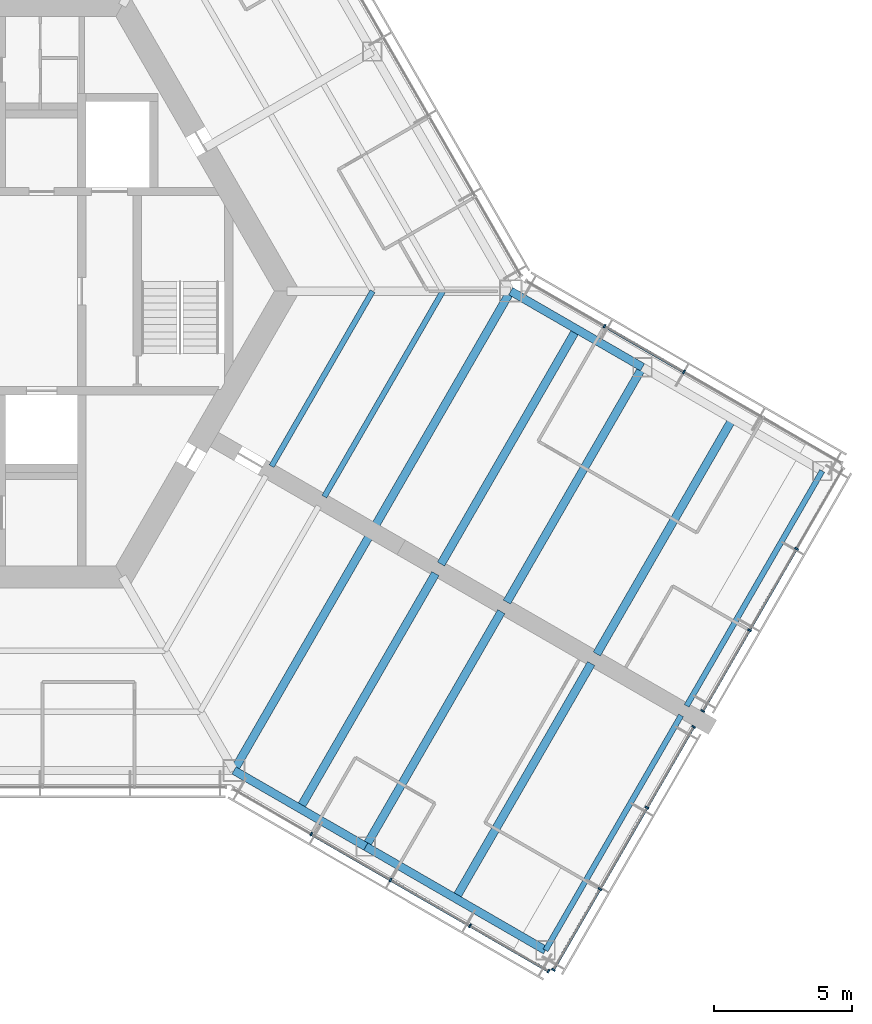
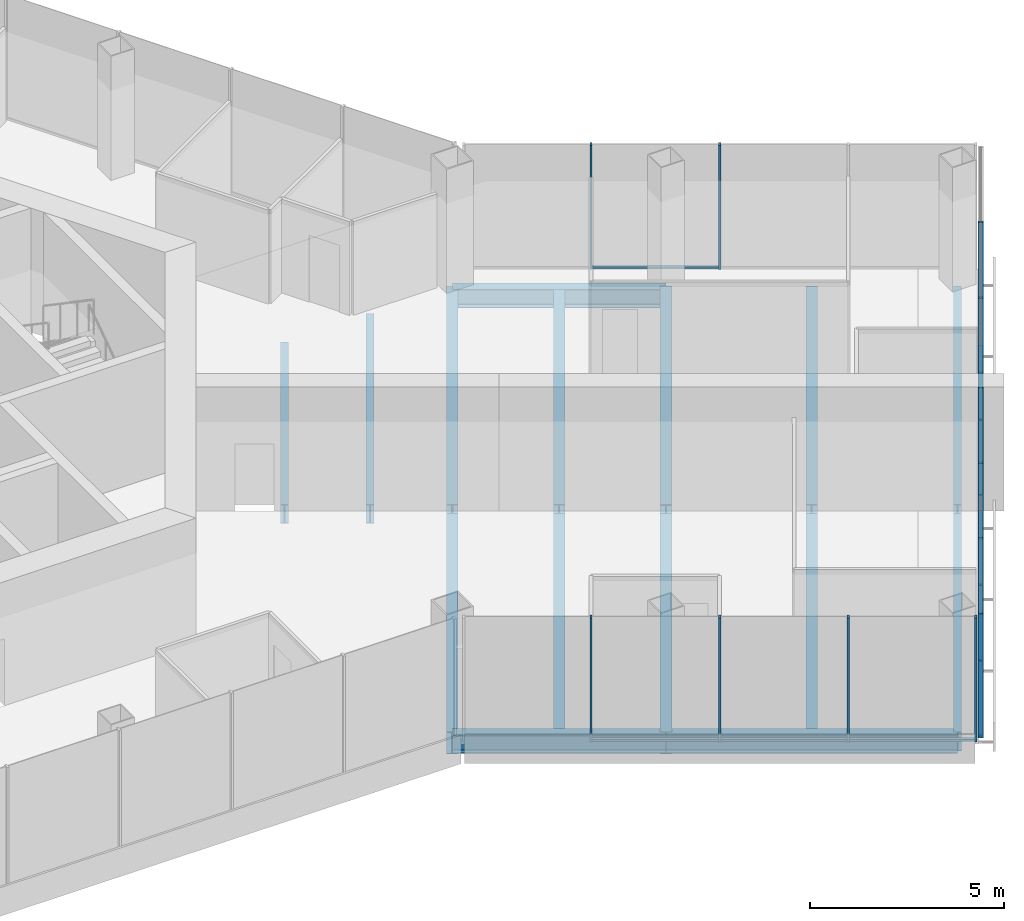
# One storey, part 4 of 16: 22 members, 15 beams, 4 elements without a shape of their own.
"""IFC4 building model written with IfcOpenShell, lengths in metres."""

from ifc_helpers import new_model, si_unit, direction, frame, origin, origin_2d, place, context, subcontext, project, spatial, rectangle, i_section, extrude, material, material_profile, profile_set, type_object, element, aggregate, save


model = new_model("IFC4")

# Units and contexts
model_context = context("Model", 3, precision=1e-05, world=origin(), true_north=direction((0.0, 1.0)))
body_context = subcontext(model_context, "Body", "Model", "MODEL_VIEW")
ifc_project = project(units=[si_unit("LENGTHUNIT", "METRE"), si_unit("AREAUNIT", "SQUARE_METRE"), si_unit("VOLUMEUNIT", "CUBIC_METRE"), si_unit("PLANEANGLEUNIT", "RADIAN"), si_unit("MASSUNIT", "GRAM", prefix="KILO")], contexts=[model_context])

# Site, building, storey
site_placement = place(None, origin())
site = spatial("IfcSite", under=ifc_project, at=site_placement, CompositionType="ELEMENT")
building_placement = place(site_placement, origin())
building = spatial("IfcBuilding", under=site, at=building_placement, Name="Kasaneha Research Tower", CompositionType="ELEMENT")
storey_placement = place(building_placement, frame((0.0, 0.0, 251.800048828125)))
storey = spatial("IfcBuildingStorey", under=building, at=storey_placement, Name="L63", CompositionType="ELEMENT", Elevation=251.800048828125)

# Beams
ifc_material_1 = material(Name="Steel SN490B", Category="steel")
ifc_material_profile_1 = material_profile(ifc_material_1, i_section(OverallWidth=0.199951171875, OverallDepth=0.60009765625, WebThickness=0.010986328125, FlangeThickness=0.01708984375, FilletRadius=0.012939453125, at=origin_2d()), Name="H-600x200x11x17")
ifc_profile_set_1 = profile_set([ifc_material_profile_1], Name="Steel SN490B")
beam_type_1 = type_object("IfcBeamType", Name="B1-3 secondary beam H-600x200x11x17", PredefinedType="JOIST", material=ifc_profile_set_1)
beam_1_placement = place(storey_placement, frame((15.010986328125, 0.0, -0.449951171875), z_axis=(-0.499974128195, -0.866040340363, 0.0), x_axis=(0.866040340363, -0.499974128195, 0.0)))
element("IfcBeam", 1, at=beam_1_placement, inside=storey, type_object=beam_type_1, Name="Secondary beam RS330R1 L63", PredefinedType="JOIST", context=body_context, shape_type="SweptSolid", body=[
    extrude(i_section(OverallWidth=0.199951171875, OverallDepth=0.60009765625, WebThickness=0.010986328125, FlangeThickness=0.01708984375, FilletRadius=0.012939453125, at=origin_2d()), origin(), (0.0, 0.0, 1.0), 7.3056640625),
])
beam_2_placement = place(storey_placement, frame((17.551513671875, 0.0, -0.449951171875), z_axis=(-0.500000102728, -0.866025344474, 0.0), x_axis=(0.866025344474, -0.500000102728, 0.0)))
element("IfcBeam", 2, at=beam_2_placement, inside=storey, type_object=beam_type_1, Name="Secondary beam RS330R2 L63", PredefinedType="JOIST", context=body_context, shape_type="SweptSolid", body=[
    extrude(i_section(OverallWidth=0.199951171875, OverallDepth=0.60009765625, WebThickness=0.010986328125, FlangeThickness=0.01708984375, FilletRadius=0.012939453125, at=origin_2d()), origin(), (0.0, 0.0, 1.0), 8.57568359375),
])
ifc_material_2 = material(Name="Steel SN490B", Category="steel")
ifc_material_profile_2 = material_profile(ifc_material_2, i_section(OverallWidth=0.300048828125, OverallDepth=0.58203125, WebThickness=0.011962890625, FlangeThickness=0.01708984375, FilletRadius=0.012939453125, at=origin_2d()), Name="H-582x300x12x17")
ifc_profile_set_2 = profile_set([ifc_material_profile_2], Name="Steel SN490B")
beam_type_2 = type_object("IfcBeamType", Name="B2-3 secondary beam H-582x300x12x17", PredefinedType="JOIST", material=ifc_profile_set_2)
for number, where, z_axis, x_axis, name in (
    (3, (12.381591796875, -18.695556640625, -0.441162109375), (0.49999201416, 0.866030014362, 0.0), (-0.866030014362, 0.49999201416, 0.0), "Secondary beam WBCP1 L63"),
    (4, (18.0107421875, -21.945556640625, -0.441162109375), (0.49999201416, 0.866030014362, 0.0), (-0.866030014362, 0.49999201416, 0.0), "Secondary beam WBCP2 L63"),
    (5, (22.381591796875, -1.375, -0.441162109375), (-0.49999201416, -0.866030014362, 0.0), (0.866030014362, -0.49999201416, 0.0), "Secondary beam WBCN1 L63"),
    (6, (28.0107421875, -4.625, -0.441162109375), (-0.49999201416, -0.866030014362, 0.0), (0.866030014362, -0.49999201416, 0.0), "Secondary beam WBCN2 L63"),
):
    element("IfcBeam", number, at=place(storey_placement, frame(where, z_axis=z_axis, x_axis=x_axis)), inside=storey, type_object=beam_type_2, Name=name, PredefinedType="JOIST", context=body_context, shape_type="SweptSolid", body=[
        extrude(i_section(OverallWidth=0.300048828125, OverallDepth=0.58203125, WebThickness=0.011962890625, FlangeThickness=0.01708984375, FilletRadius=0.012939453125, at=origin_2d()), origin(), (0.0, 0.0, 1.0), 9.800048828125),
    ])

# Curtain wall, members
ifc_material_3 = material(Name="Glass and aluminium", Category="aluminium")
curtain_wall_type = type_object("IfcCurtainWallType", Name="High-rise office curtain wall", PredefinedType="USERDEFINED", material=ifc_material_3)
curtain_wall_1_placement = place(storey_placement, origin())
curtain_wall_1 = element("IfcCurtainWall", 7, at=curtain_wall_1_placement, inside=storey, type_object=curtain_wall_type, Name="CW-O3 L63 run 06a", ObjectType="UNITISED CURTAIN WALL", PredefinedType="USERDEFINED")
ifc_material_4 = material(Name="Aluminium 6063-T6", Category="aluminium")
ifc_material_profile_3 = material_profile(ifc_material_4, rectangle(XDim=0.06005859375, YDim=0.139892578125, at=origin_2d()), Name="CW-O3 mullion 60x140")
ifc_profile_set_3 = profile_set([ifc_material_profile_3], Name="Aluminium 6063-T6")
member_type_1 = type_object("IfcMemberType", Name="CW-O3 mullion", PredefinedType="MULLION", material=ifc_profile_set_3)
member_1_placement = place(storey_placement, frame((12.792236328125, -19.62548828125, 0.0), z_axis=(0.0, 0.0, 1.0), x_axis=(0.866025411464, -0.499999986699, 0.0)))
member_1 = element("IfcMember", 8, at=member_1_placement, type_object=member_type_1, Name="CW-O3 mullion 2", PredefinedType="MULLION", context=body_context, shape_type="SweptSolid", body=[
    extrude(rectangle(XDim=0.06005859375, YDim=0.139892578125, at=origin_2d()), origin(), (0.0, 0.0, 1.0), 3.89990234375),
])
member_2_placement = place(storey_placement, frame((15.65869140625, -21.2802734375, 0.0), z_axis=(0.0, 0.0, 1.0), x_axis=(0.866025411464, -0.499999986699, 0.0)))
member_2 = element("IfcMember", 9, at=member_2_placement, type_object=member_type_1, Name="CW-O3 mullion 3", PredefinedType="MULLION", context=body_context, shape_type="SweptSolid", body=[
    extrude(rectangle(XDim=0.06005859375, YDim=0.139892578125, at=origin_2d()), origin(), (0.0, 0.0, 1.0), 3.89990234375),
])
member_3_placement = place(storey_placement, frame((18.52490234375, -22.935302734375, 0.0), z_axis=(0.0, 0.0, 1.0), x_axis=(0.866025411464, -0.499999986699, 0.0)))
member_3 = element("IfcMember", 10, at=member_3_placement, type_object=member_type_1, Name="CW-O3 mullion 4", PredefinedType="MULLION", context=body_context, shape_type="SweptSolid", body=[
    extrude(rectangle(XDim=0.06005859375, YDim=0.139892578125, at=origin_2d()), origin(), (0.0, 0.0, 1.0), 3.89990234375),
])
member_4_placement = place(storey_placement, frame((21.365478515625, -24.5751953125, 0.0), z_axis=(0.0, 0.0, 1.0), x_axis=(0.866025411464, -0.499999986699, 0.0)))
member_4 = element("IfcMember", 11, at=member_4_placement, type_object=member_type_1, Name="CW-O3 mullion 5", PredefinedType="MULLION", context=body_context, shape_type="SweptSolid", body=[
    extrude(rectangle(XDim=0.06005859375, YDim=0.139892578125, at=origin_2d()), origin(), (0.0, 0.0, 1.0), 3.89990234375),
])

curtain_wall_2_placement = place(storey_placement, origin())
curtain_wall_2 = element("IfcCurtainWall", 12, at=curtain_wall_2_placement, inside=storey, type_object=curtain_wall_type, Name="CW-O3 L63 run 07a", ObjectType="UNITISED CURTAIN WALL", PredefinedType="USERDEFINED")
member_5_placement = place(storey_placement, frame((21.54296875, -24.527587890625, 0.0), z_axis=(0.0, 0.0, 1.0), x_axis=(0.500000011442, 0.866025397178, 0.0)))
member_5 = element("IfcMember", 13, at=member_5_placement, type_object=member_type_1, Name="CW-O3 mullion 1", PredefinedType="MULLION", context=body_context, shape_type="SweptSolid", body=[
    extrude(rectangle(XDim=0.06005859375, YDim=0.139892578125, at=origin_2d()), origin(), (0.0, 0.0, 1.0), 3.89990234375),
])
member_6_placement = place(storey_placement, frame((23.22802734375, -21.609130859375, 0.0), z_axis=(0.0, 0.0, 1.0), x_axis=(0.500000011442, 0.866025397178, 0.0)))
member_6 = element("IfcMember", 14, at=member_6_placement, type_object=member_type_1, Name="CW-O3 mullion 2", PredefinedType="MULLION", context=body_context, shape_type="SweptSolid", body=[
    extrude(rectangle(XDim=0.06005859375, YDim=0.139892578125, at=origin_2d()), origin(), (0.0, 0.0, 1.0), 3.89990234375),
])
member_7_placement = place(storey_placement, frame((24.927978515625, -18.66455078125, 0.0), z_axis=(0.0, 0.0, 1.0), x_axis=(0.500000011442, 0.866025397178, 0.0)))
member_7 = element("IfcMember", 15, at=member_7_placement, type_object=member_type_1, Name="CW-O3 mullion 3", PredefinedType="MULLION", context=body_context, shape_type="SweptSolid", body=[
    extrude(rectangle(XDim=0.06005859375, YDim=0.139892578125, at=origin_2d()), origin(), (0.0, 0.0, 1.0), 3.89990234375),
])
member_8_placement = place(storey_placement, frame((26.613037109375, -15.74609375, 0.0), z_axis=(0.0, 0.0, 1.0), x_axis=(0.500000011442, 0.866025397178, 0.0)))
member_8 = element("IfcMember", 16, at=member_8_placement, type_object=member_type_1, Name="CW-O3 mullion 4", PredefinedType="MULLION", context=body_context, shape_type="SweptSolid", body=[
    extrude(rectangle(XDim=0.06005859375, YDim=0.139892578125, at=origin_2d()), origin(), (0.0, 0.0, 1.0), 3.89990234375),
])

curtain_wall_3_placement = place(storey_placement, origin())
curtain_wall_3 = element("IfcCurtainWall", 17, at=curtain_wall_3_placement, inside=storey, type_object=curtain_wall_type, Name="CW-O3 L63 run 08a", ObjectType="UNITISED CURTAIN WALL", PredefinedType="USERDEFINED")
member_9_placement = place(storey_placement, frame((26.94287109375, -15.174560546875, 0.0), z_axis=(0.0, 0.0, 1.0), x_axis=(0.500000011442, 0.866025397178, 0.0)))
member_9 = element("IfcMember", 18, at=member_9_placement, type_object=member_type_1, Name="CW-O3 mullion 1", PredefinedType="MULLION", context=body_context, shape_type="SweptSolid", body=[
    extrude(rectangle(XDim=0.06005859375, YDim=0.139892578125, at=origin_2d()), origin(), (0.0, 0.0, 1.0), 3.89990234375),
])
member_10_placement = place(storey_placement, frame((28.6279296875, -12.255859375, 0.0), z_axis=(0.0, 0.0, 1.0), x_axis=(0.500000011442, 0.866025397178, 0.0)))
member_10 = element("IfcMember", 19, at=member_10_placement, type_object=member_type_1, Name="CW-O3 mullion 2", PredefinedType="MULLION", context=body_context, shape_type="SweptSolid", body=[
    extrude(rectangle(XDim=0.06005859375, YDim=0.139892578125, at=origin_2d()), origin(), (0.0, 0.0, 1.0), 3.89990234375),
])
member_11_placement = place(storey_placement, frame((30.327880859375, -9.3115234375, 0.0), z_axis=(0.0, 0.0, 1.0), x_axis=(0.500000011442, 0.866025397178, 0.0)))
member_11 = element("IfcMember", 20, at=member_11_placement, type_object=member_type_1, Name="CW-O3 mullion 3", PredefinedType="MULLION", context=body_context, shape_type="SweptSolid", body=[
    extrude(rectangle(XDim=0.06005859375, YDim=0.139892578125, at=origin_2d()), origin(), (0.0, 0.0, 1.0), 3.89990234375),
])

curtain_wall_4_placement = place(storey_placement, origin())
curtain_wall_4 = element("IfcCurtainWall", 21, at=curtain_wall_4_placement, inside=storey, type_object=curtain_wall_type, Name="CW-O3 L63 run 09a", ObjectType="UNITISED CURTAIN WALL", PredefinedType="USERDEFINED")
member_12_placement = place(storey_placement, frame((26.258544921875, -2.920654296875, 0.0), z_axis=(0.0, 0.0, 1.0), x_axis=(-0.866025411464, 0.499999986699, 0.0)))
member_12 = element("IfcMember", 22, at=member_12_placement, type_object=member_type_1, Name="CW-O3 mullion 3", PredefinedType="MULLION", context=body_context, shape_type="SweptSolid", body=[
    extrude(rectangle(XDim=0.06005859375, YDim=0.139892578125, at=origin_2d()), origin(), (0.0, 0.0, 1.0), 3.89990234375),
])
member_13_placement = place(storey_placement, frame((23.39208984375, -1.265625, 0.0), z_axis=(0.0, 0.0, 1.0), x_axis=(-0.866025411464, 0.499999986699, 0.0)))
member_13 = element("IfcMember", 23, at=member_13_placement, type_object=member_type_1, Name="CW-O3 mullion 4", PredefinedType="MULLION", context=body_context, shape_type="SweptSolid", body=[
    extrude(rectangle(XDim=0.06005859375, YDim=0.139892578125, at=origin_2d()), origin(), (0.0, 0.0, 1.0), 3.89990234375),
])

# Member
ifc_material_5 = material(Name="Aluminium 6063-T6", Category="aluminium")
ifc_material_profile_4 = material_profile(ifc_material_5, rectangle(XDim=0.10009765625, YDim=0.06005859375, at=origin_2d()), Name="CW-O3 transom 100x60")
ifc_profile_set_4 = profile_set([ifc_material_profile_4], Name="Aluminium 6063-T6")
member_type_2 = type_object("IfcMemberType", Name="CW-O3 transom", PredefinedType="USERDEFINED", material=ifc_profile_set_4)
member_14_placement = place(storey_placement, frame((12.818115234375, -19.640380859375, 0.030029296875), z_axis=(0.866015446554, -0.500017246033, 0.0), x_axis=(0.500017246033, 0.866015446554, 0.0)))
member_14 = element("IfcMember", 24, at=member_14_placement, type_object=member_type_2, Name="CW-O3 transom 2", ObjectType="TRANSOM", PredefinedType="USERDEFINED", context=body_context, shape_type="SweptSolid", body=[
    extrude(rectangle(XDim=0.10009765625, YDim=0.06005859375, at=origin_2d()), origin(), (0.0, 0.0, 1.0), 3.25),
])

member_15_placement = place(storey_placement, frame((15.6845703125, -21.29541015625, 0.030029296875), z_axis=(0.86604797581, -0.499960902066, 0.0), x_axis=(0.499960902066, 0.86604797581, 0.0)))
member_15 = element("IfcMember", 25, at=member_15_placement, type_object=member_type_2, Name="CW-O3 transom 3", ObjectType="TRANSOM", PredefinedType="USERDEFINED", context=body_context, shape_type="SweptSolid", body=[
    extrude(rectangle(XDim=0.10009765625, YDim=0.06005859375, at=origin_2d()), origin(), (0.0, 0.0, 1.0), 3.249755859375),
])

member_16_placement = place(storey_placement, frame((18.551025390625, -22.9501953125, 0.030029296875), z_axis=(0.866022692473, -0.500004696101, 0.0), x_axis=(0.500004696101, 0.866022692473, 0.0)))
member_16 = element("IfcMember", 26, at=member_16_placement, type_object=member_type_2, Name="CW-O3 transom 4", ObjectType="TRANSOM", PredefinedType="USERDEFINED", context=body_context, shape_type="SweptSolid", body=[
    extrude(rectangle(XDim=0.10009765625, YDim=0.06005859375, at=origin_2d()), origin(), (0.0, 0.0, 1.0), 3.2197265625),
])

aggregate(curtain_wall_1, [member_1, member_2, member_3, member_4, member_14, member_15, member_16])

member_17_placement = place(storey_placement, frame((21.557861328125, -24.50146484375, 0.030029296875), z_axis=(0.500018282537, 0.866014848099, 0.0), x_axis=(-0.866014848099, 0.500018282537, 0.0)))
member_17 = element("IfcMember", 27, at=member_17_placement, type_object=member_type_2, Name="CW-O3 transom 1", ObjectType="TRANSOM", PredefinedType="USERDEFINED", context=body_context, shape_type="SweptSolid", body=[
    extrude(rectangle(XDim=0.10009765625, YDim=0.06005859375, at=origin_2d()), origin(), (0.0, 0.0, 1.0), 3.31005859375),
])

member_18_placement = place(storey_placement, frame((23.242919921875, -21.5830078125, 0.030029296875), z_axis=(0.499975549825, 0.866039519639, 0.0), x_axis=(-0.866039519639, 0.499975549825, 0.0)))
member_18 = element("IfcMember", 28, at=member_18_placement, type_object=member_type_2, Name="CW-O3 transom 2", ObjectType="TRANSOM", PredefinedType="USERDEFINED", context=body_context, shape_type="SweptSolid", body=[
    extrude(rectangle(XDim=0.10009765625, YDim=0.06005859375, at=origin_2d()), origin(), (0.0, 0.0, 1.0), 3.340087890625),
])

member_19_placement = place(storey_placement, frame((24.94287109375, -18.638671875, 0.030029296875), z_axis=(0.49998634449, 0.866033287653, 0.0), x_axis=(-0.866033287653, 0.49998634449, 0.0)))
member_19 = element("IfcMember", 29, at=member_19_placement, type_object=member_type_2, Name="CW-O3 transom 3", ObjectType="TRANSOM", PredefinedType="USERDEFINED", context=body_context, shape_type="SweptSolid", body=[
    extrude(rectangle(XDim=0.10009765625, YDim=0.06005859375, at=origin_2d()), origin(), (0.0, 0.0, 1.0), 3.31005859375),
])

aggregate(curtain_wall_2, [member_5, member_6, member_7, member_8, member_17, member_18, member_19])

member_20_placement = place(storey_placement, frame((26.9580078125, -15.1484375, 0.030029296875), z_axis=(0.500018282537, 0.866014848099, 0.0), x_axis=(-0.866014848099, 0.500018282537, 0.0)))
member_20 = element("IfcMember", 30, at=member_20_placement, type_object=member_type_2, Name="CW-O3 transom 1", ObjectType="TRANSOM", PredefinedType="USERDEFINED", context=body_context, shape_type="SweptSolid", body=[
    extrude(rectangle(XDim=0.10009765625, YDim=0.06005859375, at=origin_2d()), origin(), (0.0, 0.0, 1.0), 3.31005859375),
])

member_21_placement = place(storey_placement, frame((28.64306640625, -12.22998046875, 0.030029296875), z_axis=(0.499975549825, 0.866039519639, 0.0), x_axis=(-0.866039519639, 0.499975549825, 0.0)))
member_21 = element("IfcMember", 31, at=member_21_placement, type_object=member_type_2, Name="CW-O3 transom 2", ObjectType="TRANSOM", PredefinedType="USERDEFINED", context=body_context, shape_type="SweptSolid", body=[
    extrude(rectangle(XDim=0.10009765625, YDim=0.06005859375, at=origin_2d()), origin(), (0.0, 0.0, 1.0), 3.340087890625),
])

aggregate(curtain_wall_3, [member_9, member_10, member_11, member_20, member_21])

member_22_placement = place(storey_placement, frame((26.232666015625, -2.905517578125, 0.030029296875), z_axis=(-0.86604797581, 0.499960902066, 0.0), x_axis=(-0.499960902066, -0.86604797581, 0.0)))
member_22 = element("IfcMember", 32, at=member_22_placement, type_object=member_type_2, Name="CW-O3 transom 3", ObjectType="TRANSOM", PredefinedType="USERDEFINED", context=body_context, shape_type="SweptSolid", body=[
    extrude(rectangle(XDim=0.10009765625, YDim=0.06005859375, at=origin_2d()), origin(), (0.0, 0.0, 1.0), 3.249755859375),
])

aggregate(curtain_wall_4, [member_12, member_13, member_22])

# Beams
ifc_material_6 = material(Name="Steel SN490B", Category="steel")
ifc_material_profile_5 = material_profile(ifc_material_6, i_section(OverallWidth=0.300048828125, OverallDepth=0.69189453125, WebThickness=0.012939453125, FlangeThickness=0.02001953125, FilletRadius=0.01806640625, at=origin_2d()), Name="H-692x300x13x20")
ifc_profile_set_5 = profile_set([ifc_material_profile_5], Name="Steel SN490B")
beam_type_3 = type_object("IfcBeamType", Name="G3-3 plate edge girder H-692x300x13x20", PredefinedType="BEAM", material=ifc_profile_set_5)
for number, where, z_axis, x_axis, name in (
    (33, (10.0, -17.320556640625, -0.49609375), (0.49999201416, 0.866030014362, 0.0), (-0.866030014362, 0.49999201416, 0.0), "Plate edge girder PECP L63"),
    (34, (20.0, 0.0, -0.49609375), (-0.49999201416, -0.866030014362, 0.0), (0.866030014362, -0.49999201416, 0.0), "Plate edge girder PECN L63"),
):
    element("IfcBeam", number, at=place(storey_placement, frame(where, z_axis=z_axis, x_axis=x_axis)), inside=storey, type_object=beam_type_3, Name=name, PredefinedType="BEAM", context=body_context, shape_type="SweptSolid", body=[
        extrude(i_section(OverallWidth=0.300048828125, OverallDepth=0.69189453125, WebThickness=0.012939453125, FlangeThickness=0.02001953125, FilletRadius=0.01806640625, at=origin_2d()), origin(), (0.0, 0.0, 1.0), 9.800048828125),
    ])
ifc_material_7 = material(Name="Steel SN490B", Category="steel")
ifc_material_profile_6 = material_profile(ifc_material_7, i_section(OverallWidth=0.300048828125, OverallDepth=0.699951171875, WebThickness=0.012939453125, FlangeThickness=0.02392578125, FilletRadius=0.01806640625, at=origin_2d()), Name="H-700x300x13x24")
ifc_profile_set_6 = profile_set([ifc_material_profile_6], Name="Steel SN490B")
beam_type_4 = type_object("IfcBeamType", Name="G4-3 wing girder H-700x300x13x24", PredefinedType="BEAM", material=ifc_profile_set_6)
for number, where, z_axis, x_axis, name in (
    (35, (14.76318359375, -20.070556640625, -0.5), (0.49999201416, 0.866030014362, 0.0), (-0.866030014362, 0.49999201416, 0.0), "Wing girder WGCP L63"),
    (36, (24.76318359375, -2.75, -0.5), (-0.500010698315, -0.866019227021, 0.0), (0.866019227021, -0.500010698315, 0.0), "Wing girder WGCN L63"),
):
    element("IfcBeam", number, at=place(storey_placement, frame(where, z_axis=z_axis, x_axis=x_axis)), inside=storey, type_object=beam_type_4, Name=name, PredefinedType="BEAM", context=body_context, shape_type="SweptSolid", body=[
        extrude(i_section(OverallWidth=0.300048828125, OverallDepth=0.699951171875, WebThickness=0.012939453125, FlangeThickness=0.02392578125, FilletRadius=0.01806640625, at=origin_2d()), origin(), (0.0, 0.0, 1.0), 9.800048828125),
    ])
ifc_material_8 = material(Name="Steel SN490B", Category="steel")
ifc_material_profile_7 = material_profile(ifc_material_8, i_section(OverallWidth=0.300048828125, OverallDepth=0.58203125, WebThickness=0.011962890625, FlangeThickness=0.01708984375, FilletRadius=0.012939453125, at=origin_2d()), Name="H-582x300x12x17")
ifc_profile_set_7 = profile_set([ifc_material_profile_7], Name="Steel SN490B")
beam_type_5 = type_object("IfcBeamType", Name="SB2-3 spandrel beam H-582x300x12x17", PredefinedType="SPANDREL", material=ifc_profile_set_7)
beam_3_placement = place(storey_placement, frame((10.0, -17.320556640625, -0.441162109375), z_axis=(0.866027397988, -0.499996545922, 0.0), x_axis=(0.499996545922, 0.866027397988, 0.0)))
element("IfcBeam", 37, at=beam_3_placement, inside=storey, type_object=beam_type_5, Name="Spandrel beam WSCP1 L63", PredefinedType="SPANDREL", context=body_context, shape_type="SweptSolid", body=[
    extrude(i_section(OverallWidth=0.300048828125, OverallDepth=0.58203125, WebThickness=0.011962890625, FlangeThickness=0.01708984375, FilletRadius=0.012939453125, at=origin_2d()), origin(), (0.0, 0.0, 1.0), 5.5),
])
beam_4_placement = place(storey_placement, frame((14.76318359375, -20.070556640625, -0.441162109375), z_axis=(0.866022959057, -0.500004234368, 0.0), x_axis=(0.500004234368, 0.866022959057, 0.0)))
element("IfcBeam", 38, at=beam_4_placement, inside=storey, type_object=beam_type_5, Name="Spandrel beam WSCP2 L63", PredefinedType="SPANDREL", context=body_context, shape_type="SweptSolid", body=[
    extrude(i_section(OverallWidth=0.300048828125, OverallDepth=0.58203125, WebThickness=0.011962890625, FlangeThickness=0.01708984375, FilletRadius=0.012939453125, at=origin_2d()), origin(), (0.0, 0.0, 1.0), 7.5),
])
beam_5_placement = place(storey_placement, frame((20.0, 0.0, -0.441162109375), z_axis=(0.866027397988, -0.499996545922, 0.0), x_axis=(0.499996545922, 0.866027397988, 0.0)))
element("IfcBeam", 39, at=beam_5_placement, inside=storey, type_object=beam_type_5, Name="Spandrel beam WSCN1 L63", PredefinedType="SPANDREL", context=body_context, shape_type="SweptSolid", body=[
    extrude(i_section(OverallWidth=0.300048828125, OverallDepth=0.58203125, WebThickness=0.011962890625, FlangeThickness=0.01708984375, FilletRadius=0.012939453125, at=origin_2d()), origin(), (0.0, 0.0, 1.0), 5.5),
])
ifc_material_9 = material(Name="Steel SN490B", Category="steel")
ifc_material_profile_8 = material_profile(ifc_material_9, i_section(OverallWidth=0.199951171875, OverallDepth=0.60009765625, WebThickness=0.010986328125, FlangeThickness=0.01708984375, FilletRadius=0.012939453125, at=origin_2d()), Name="H-600x200x11x17")
ifc_profile_set_8 = profile_set([ifc_material_profile_8], Name="Steel SN490B")
beam_type_6 = type_object("IfcBeamType", Name="SB3-3 spandrel beam H-600x200x11x17", PredefinedType="SPANDREL", material=ifc_profile_set_8)
for number, where, z_axis, x_axis, name in (
    (40, (21.25830078125, -23.820556640625, -0.449951171875), (0.500010698315, 0.866019227021, 0.0), (-0.866019227021, 0.500010698315, 0.0), "Spandrel beam WTCP L63"),
    (41, (31.25830078125, -6.5, -0.449951171875), (-0.49999201416, -0.866030014362, 0.0), (0.866030014362, -0.49999201416, 0.0), "Spandrel beam WTCN L63"),
):
    element("IfcBeam", number, at=place(storey_placement, frame(where, z_axis=z_axis, x_axis=x_axis)), inside=storey, type_object=beam_type_6, Name=name, PredefinedType="SPANDREL", context=body_context, shape_type="SweptSolid", body=[
        extrude(i_section(OverallWidth=0.199951171875, OverallDepth=0.60009765625, WebThickness=0.010986328125, FlangeThickness=0.01708984375, FilletRadius=0.012939453125, at=origin_2d()), origin(), (0.0, 0.0, 1.0), 9.800048828125),
    ])

save(model, "model.ifc")
